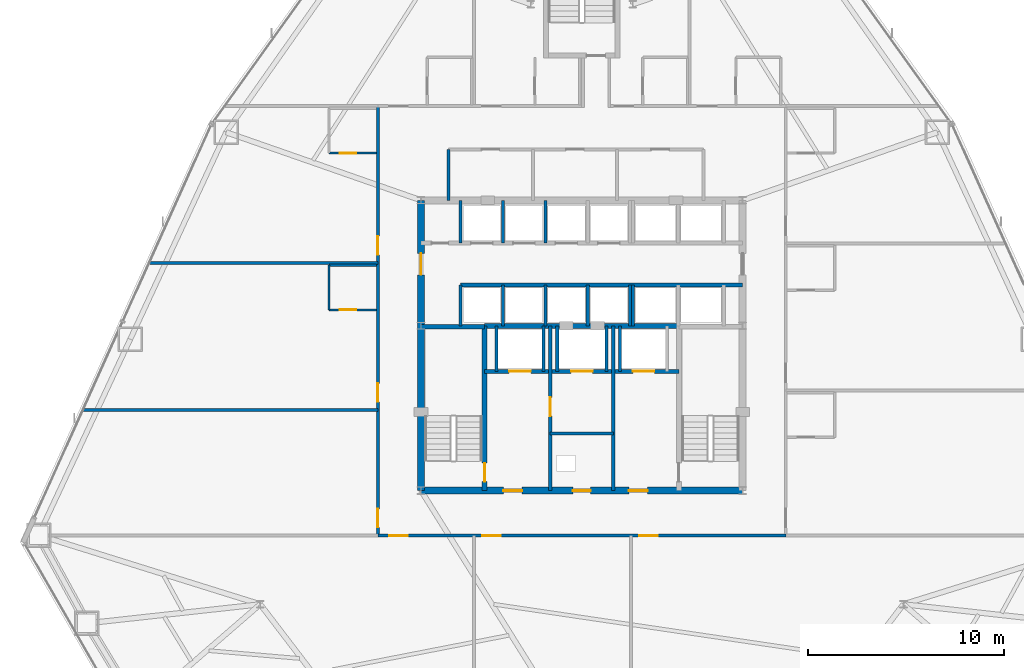
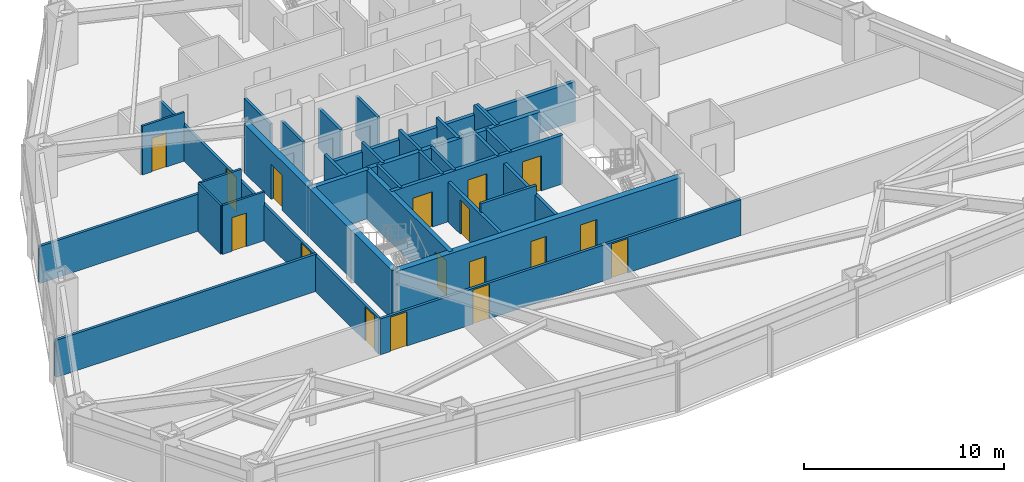
# One storey, part 9 of 12: 33 walls, 17 doors, 17 openings.
"""IFC4 building model written with IfcOpenShell, lengths in metres."""

from ifc_helpers import new_model, si_unit, direction, frame, frame_2d, origin, place, context, subcontext, project, spatial, rectangle, extrude, material, layer, layer_set, type_object, element, fill, save


model = new_model("IFC4")

# Units and contexts
model_context = context("Model", 3, precision=1e-05, world=origin(), true_north=direction((0.0, 1.0)))
body_context = subcontext(model_context, "Body", "Model", "MODEL_VIEW")
ifc_project = project(units=[si_unit("LENGTHUNIT", "METRE"), si_unit("AREAUNIT", "SQUARE_METRE"), si_unit("VOLUMEUNIT", "CUBIC_METRE"), si_unit("PLANEANGLEUNIT", "RADIAN"), si_unit("MASSUNIT", "GRAM", prefix="KILO")], contexts=[model_context])

# Site, building, storey
site_placement = place(None, origin())
site = spatial("IfcSite", under=ifc_project, at=site_placement, CompositionType="ELEMENT")
building_placement = place(site_placement, origin())
building = spatial("IfcBuilding", under=site, at=building_placement, Name="Varakhsha Concourse Tower", CompositionType="ELEMENT")
storey_placement = place(building_placement, frame((0.0, 0.0, 33.60009765625)))
storey = spatial("IfcBuildingStorey", under=building, at=storey_placement, Name="L08", CompositionType="ELEMENT", Elevation=33.60009765625)

# Wall, openings, doors
ifc_material_1 = material(Name="Concrete fc 65 MPa", Category="concrete")
ifc_layer_1 = layer(ifc_material_1, 0.35009765625, Name="WL-CORE-350")
ifc_layer_set_1 = layer_set([ifc_layer_1], Name="Concrete fc 65 MPa")
wall_type_1 = type_object("IfcWallType", Name="WL-CORE-350", PredefinedType="SHEAR", material=ifc_layer_set_1)
wall_1_placement = place(storey_placement, frame((31.800048828125, 16.39990234375, 0.0), z_axis=(0.0, 0.0, 1.0), x_axis=(1.0, 0.0, 0.0)))
wall_1 = element("IfcWall", 1, at=wall_1_placement, inside=storey, type_object=wall_type_1, Name="L08 Wall CWALL-S-L08", PredefinedType="SHEAR", context=body_context, shape_type="SweptSolid", body=[
    extrude(rectangle(XDim=16.39990234375, YDim=0.35009765625, at=frame_2d((8.199951171875, 0.0))), origin(), (0.0, 0.0, 1.0), 2.97998046875),
])
opening_1_placement = place(wall_1_placement, frame((7.75, 0.0, 0.0)))
opening_1 = element("IfcOpeningElement", 2, at=opening_1_placement, cuts=wall_1, Name="Opening DF-06", PredefinedType="OPENING", context=body_context, shape_type="SweptSolid", body=[
    extrude(rectangle(XDim=0.89990234375, YDim=2.10009765625, at=frame_2d((0.449951171875, 1.050048828125))), frame((0.0, 0.18505859375, 0.0), z_axis=(0.0, -1.0, 0.0), x_axis=(1.0, 0.0, 0.0)), (0.0, 0.0, 1.0), 0.3701171875),
])
opening_2_placement = place(wall_1_placement, frame((4.199951171875, 0.0, 0.0)))
opening_2 = element("IfcOpeningElement", 3, at=opening_2_placement, cuts=wall_1, Name="Opening DF-05", PredefinedType="OPENING", context=body_context, shape_type="SweptSolid", body=[
    extrude(rectangle(XDim=0.949951171875, YDim=2.10009765625, at=frame_2d((0.47509765625, 1.050048828125))), frame((0.0, 0.18505859375, 0.0), z_axis=(0.0, -1.0, 0.0), x_axis=(1.0, 0.0, 0.0)), (0.0, 0.0, 1.0), 0.3701171875),
])
opening_3_placement = place(wall_1_placement, frame((10.60009765625, 0.0, 0.0)))
opening_3 = element("IfcOpeningElement", 4, at=opening_3_placement, cuts=wall_1, Name="Opening DF-05", PredefinedType="OPENING", context=body_context, shape_type="SweptSolid", body=[
    extrude(rectangle(XDim=0.949951171875, YDim=2.10009765625, at=frame_2d((0.47509765625, 1.050048828125))), frame((0.0, 0.18505859375, 0.0), z_axis=(0.0, -1.0, 0.0), x_axis=(1.0, 0.0, 0.0)), (0.0, 0.0, 1.0), 0.3701171875),
])
ifc_material_2 = material(Name="Hollow Galvanised Steel Fire Door Assembly", Category="steel")
door_type_1 = type_object("IfcDoorType", Name="DR-FD60-900", OperationType="NOTDEFINED", PredefinedType="DOOR", material=ifc_material_2)
door_1_placement = place(opening_1_placement, origin())
door_1 = element("IfcDoor", 5, at=door_1_placement, inside=storey, type_object=door_type_1, Name="L08 Electrical Riser Access Door", OperationType="SINGLE_SWING_LEFT", OverallHeight=2.10009765625, OverallWidth=0.89990234375, PredefinedType="DOOR", context=body_context, shape_type="SweptSolid", body=[
    extrude(rectangle(XDim=0.89990234375, YDim=2.10009765625, at=frame_2d((0.449951171875, 1.050048828125))), frame((0.0, 0.02490234375, 0.0), z_axis=(0.0, -1.0, 0.0), x_axis=(1.0, 0.0, 0.0)), (0.0, 0.0, 1.0), 0.050048828125),
])
fill(opening_1, door_1)
door_type_2 = type_object("IfcDoorType", Name="DR-FD60-950", OperationType="NOTDEFINED", PredefinedType="DOOR", material=ifc_material_2)
door_2_placement = place(opening_2_placement, origin())
door_2 = element("IfcDoor", 6, at=door_2_placement, inside=storey, type_object=door_type_2, Name="L08 Firefighting Lobby West Door", OperationType="SINGLE_SWING_RIGHT", OverallHeight=2.10009765625, OverallWidth=0.949951171875, PredefinedType="DOOR", context=body_context, shape_type="SweptSolid", body=[
    extrude(rectangle(XDim=0.949951171875, YDim=2.10009765625, at=frame_2d((0.47509765625, 1.050048828125))), frame((0.0, 0.02490234375, 0.0), z_axis=(0.0, -1.0, 0.0), x_axis=(1.0, 0.0, 0.0)), (0.0, 0.0, 1.0), 0.050048828125),
])
fill(opening_2, door_2)
door_3_placement = place(opening_3_placement, origin())
door_3 = element("IfcDoor", 7, at=door_3_placement, inside=storey, type_object=door_type_2, Name="L08 Firefighting Lobby East Door", OperationType="SINGLE_SWING_LEFT", OverallHeight=2.10009765625, OverallWidth=0.949951171875, PredefinedType="DOOR", context=body_context, shape_type="SweptSolid", body=[
    extrude(rectangle(XDim=0.949951171875, YDim=2.10009765625, at=frame_2d((0.47509765625, 1.050048828125))), frame((0.0, 0.02490234375, 0.0), z_axis=(0.0, -1.0, 0.0), x_axis=(1.0, 0.0, 0.0)), (0.0, 0.0, 1.0), 0.050048828125),
])
fill(opening_3, door_3)

# Wall, opening, door
wall_2_placement = place(storey_placement, frame((31.800048828125, 16.39990234375, 0.0), z_axis=(0.0, 0.0, 1.0), x_axis=(0.0, 1.0, 0.0)))
wall_2 = element("IfcWall", 8, at=wall_2_placement, inside=storey, type_object=wall_type_1, Name="L08 Wall CWALL-W-L08", PredefinedType="SHEAR", context=body_context, shape_type="SweptSolid", body=[
    extrude(rectangle(XDim=14.800048828125, YDim=0.35009765625, at=frame_2d((7.39990234375, 0.0))), origin(), (0.0, 0.0, 1.0), 2.97998046875),
])
opening_4_placement = place(wall_2_placement, frame((11.0, 0.0, 0.0)))
opening_4 = element("IfcOpeningElement", 9, at=opening_4_placement, cuts=wall_2, Name="Opening DL-01", PredefinedType="OPENING", context=body_context, shape_type="SweptSolid", body=[
    extrude(rectangle(XDim=1.10009765625, YDim=2.14990234375, at=frame_2d((0.550048828125, 1.074951171875))), frame((0.0, 0.18505859375, 0.0), z_axis=(0.0, -1.0, 0.0), x_axis=(1.0, 0.0, 0.0)), (0.0, 0.0, 1.0), 0.3701171875),
])
ifc_material_3 = material(Name="Anodised Bronze Architectural Aluminium AA 6063-T6", Category="aluminium")
door_type_3 = type_object("IfcDoorType", Name="DR-LOB-1100", OperationType="NOTDEFINED", PredefinedType="DOOR", material=ifc_material_3)
door_4_placement = place(opening_4_placement, origin())
door_4 = element("IfcDoor", 10, at=door_4_placement, inside=storey, type_object=door_type_3, Name="L08 Lift Lobby West Concourse Door", OperationType="SINGLE_SWING_LEFT", OverallHeight=2.14990234375, OverallWidth=1.10009765625, PredefinedType="DOOR", context=body_context, shape_type="SweptSolid", body=[
    extrude(rectangle(XDim=1.10009765625, YDim=2.14990234375, at=frame_2d((0.550048828125, 1.074951171875))), frame((0.0, 0.02490234375, 0.0), z_axis=(0.0, -1.0, 0.0), x_axis=(1.0, 0.0, 0.0)), (0.0, 0.0, 1.0), 0.050048828125),
])
fill(opening_4, door_4)

ifc_material_4 = material(Name="Fire-Rated Type X Gypsum Partition Assembly", Category="gypsum")
ifc_layer_2 = layer(ifc_material_4, 0.179931640625, Name="WL-FFLOB-180")
ifc_layer_set_2 = layer_set([ifc_layer_2], Name="Fire-Rated Type X Gypsum Partition Assembly")
wall_type_2 = type_object("IfcWallType", Name="WL-FFLOB-180", PredefinedType="PARTITIONING", material=ifc_layer_set_2)
wall_3_placement = place(storey_placement, frame((38.389892578125, 16.39990234375, 0.0), z_axis=(0.0, 0.0, 1.0), x_axis=(0.0, 1.0, 0.0)))
wall_3 = element("IfcWall", 11, at=wall_3_placement, inside=storey, type_object=wall_type_2, Name="L08 Wall FFW-1E-L08", PredefinedType="PARTITIONING", context=body_context, shape_type="SweptSolid", body=[
    extrude(rectangle(XDim=8.400146484375, YDim=0.179931640625, at=frame_2d((4.2001953125, 0.0))), origin(), (0.0, 0.0, 1.0), 2.430908203125),
])
opening_5_placement = place(wall_3_placement, frame((3.800048828125, 0.0, 0.0)))
opening_5 = element("IfcOpeningElement", 12, at=opening_5_placement, cuts=wall_3, Name="Opening DF-05", PredefinedType="OPENING", context=body_context, shape_type="SweptSolid", body=[
    extrude(rectangle(XDim=0.949951171875, YDim=2.10009765625, at=frame_2d((0.47509765625, 1.050048828125))), frame((0.0, 0.099853515625, 0.0), z_axis=(0.0, -1.0, 0.0), x_axis=(1.0, 0.0, 0.0)), (0.0, 0.0, 1.0), 0.199951171875),
])
door_5_placement = place(opening_5_placement, origin())
door_5 = element("IfcDoor", 13, at=door_5_placement, inside=storey, type_object=door_type_2, Name="L08 Service Vestibule Door", OperationType="SINGLE_SWING_RIGHT", OverallHeight=2.10009765625, OverallWidth=0.949951171875, PredefinedType="DOOR", context=body_context, shape_type="SweptSolid", body=[
    extrude(rectangle(XDim=0.949951171875, YDim=2.10009765625, at=frame_2d((0.47509765625, 1.050048828125))), frame((0.0, 0.02490234375, 0.0), z_axis=(0.0, -1.0, 0.0), x_axis=(1.0, 0.0, 0.0)), (0.0, 0.0, 1.0), 0.050048828125),
])
fill(opening_5, door_5)

# Walls
wall_4_placement = place(storey_placement, frame((41.610107421875, 16.39990234375, 0.0), z_axis=(0.0, 0.0, 1.0), x_axis=(0.0, 1.0, 0.0)))
element("IfcWall", 14, at=wall_4_placement, inside=storey, type_object=wall_type_2, Name="L08 Wall FFW-2W-L08", PredefinedType="PARTITIONING", context=body_context, shape_type="SweptSolid", body=[
    extrude(rectangle(XDim=8.400146484375, YDim=0.179931640625, at=frame_2d((4.2001953125, 0.0))), origin(), (0.0, 0.0, 1.0), 2.430908203125),
])
ifc_material_5 = material(Name="Acoustic Gypsum Board Partition Assembly", Category="gypsum")
ifc_layer_3 = layer(ifc_material_5, 0.1201171875, Name="WL-PART-120")
ifc_layer_set_3 = layer_set([ifc_layer_3], Name="Acoustic Gypsum Board Partition Assembly")
wall_type_3 = type_object("IfcWallType", Name="WL-PART-120", PredefinedType="PARTITIONING", material=ifc_layer_set_3)
wall_5_placement = place(storey_placement, frame((27.110107421875, 25.610107421875, 0.0), z_axis=(0.0, 0.0, 1.0), x_axis=(0.0, 1.0, 0.0)))
element("IfcWall", 15, at=wall_5_placement, inside=storey, type_object=wall_type_3, Name="L08 Wall ENSW-W-L08-H05", PredefinedType="PARTITIONING", context=body_context, shape_type="SweptSolid", body=[
    extrude(rectangle(XDim=2.27978515625, YDim=0.1201171875, at=frame_2d((1.139892578125, 0.0))), origin(), (0.0, 0.0, 1.0), 2.97998046875),
])

# Wall, opening, door
wall_6_placement = place(storey_placement, frame((27.110107421875, 25.610107421875, 0.0), z_axis=(0.0, 0.0, 1.0), x_axis=(1.0, 0.0, 0.0)))
wall_6 = element("IfcWall", 16, at=wall_6_placement, inside=storey, type_object=wall_type_3, Name="L08 Wall ENSW-S-L08-H05", PredefinedType="PARTITIONING", context=body_context, shape_type="SweptSolid", body=[
    extrude(rectangle(XDim=2.429931640625, YDim=0.1201171875, at=frame_2d((1.21484375, 0.0))), origin(), (0.0, 0.0, 1.0), 2.97998046875),
])
opening_6_placement = place(wall_6_placement, frame((0.550048828125, 0.0, 0.0)))
opening_6 = element("IfcOpeningElement", 17, at=opening_6_placement, cuts=wall_6, Name="Opening DI-01", PredefinedType="OPENING", context=body_context, shape_type="SweptSolid", body=[
    extrude(rectangle(XDim=0.85009765625, YDim=2.050048828125, at=frame_2d((0.425048828125, 1.02490234375))), frame((0.0, 0.070068359375, 0.0), z_axis=(0.0, -1.0, 0.0), x_axis=(1.0, 0.0, 0.0)), (0.0, 0.0, 1.0), 0.14013671875),
])
ifc_material_6 = material(Name="Architectural Walnut Acoustic Timber Door", Category="wood")
door_type_4 = type_object("IfcDoorType", Name="DR-INT-850", OperationType="NOTDEFINED", PredefinedType="DOOR", material=ifc_material_6)
door_6_placement = place(opening_6_placement, origin())
door_6 = element("IfcDoor", 18, at=door_6_placement, inside=storey, type_object=door_type_4, Name="L08 En-suite Bathroom Door L08-H05", OperationType="SINGLE_SWING_RIGHT", OverallHeight=2.050048828125, OverallWidth=0.85009765625, PredefinedType="DOOR", context=body_context, shape_type="SweptSolid", body=[
    extrude(rectangle(XDim=0.85009765625, YDim=2.050048828125, at=frame_2d((0.425048828125, 1.02490234375))), frame((0.0, 0.02490234375, 0.0), z_axis=(0.0, -1.0, 0.0), x_axis=(1.0, 0.0, 0.0)), (0.0, 0.0, 1.0), 0.050048828125),
])
fill(opening_6, door_6)

# Wall
wall_7_placement = place(storey_placement, frame((27.110107421875, 27.889892578125, 0.0), z_axis=(0.0, 0.0, 1.0), x_axis=(1.0, 0.0, 0.0)))
element("IfcWall", 19, at=wall_7_placement, inside=storey, type_object=wall_type_3, Name="L08 Wall ENSW-N-L08-H05", PredefinedType="PARTITIONING", context=body_context, shape_type="SweptSolid", body=[
    extrude(rectangle(XDim=2.429931640625, YDim=0.1201171875, at=frame_2d((1.21484375, 0.0))), origin(), (0.0, 0.0, 1.0), 2.97998046875),
])

# Wall, opening, door
wall_8_placement = place(storey_placement, frame((27.110107421875, 33.610107421875, 0.0), z_axis=(0.0, 0.0, 1.0), x_axis=(1.0, 0.0, 0.0)))
wall_8 = element("IfcWall", 20, at=wall_8_placement, inside=storey, type_object=wall_type_3, Name="L08 Wall ENSW-S-L08-H06", PredefinedType="PARTITIONING", context=body_context, shape_type="SweptSolid", body=[
    extrude(rectangle(XDim=2.429931640625, YDim=0.1201171875, at=frame_2d((1.21484375, 0.0))), origin(), (0.0, 0.0, 1.0), 2.97998046875),
])
opening_7_placement = place(wall_8_placement, frame((0.550048828125, 0.0, 0.0)))
opening_7 = element("IfcOpeningElement", 21, at=opening_7_placement, cuts=wall_8, Name="Opening DI-01", PredefinedType="OPENING", context=body_context, shape_type="SweptSolid", body=[
    extrude(rectangle(XDim=0.85009765625, YDim=2.050048828125, at=frame_2d((0.425048828125, 1.02490234375))), frame((0.0, 0.070068359375, 0.0), z_axis=(0.0, -1.0, 0.0), x_axis=(1.0, 0.0, 0.0)), (0.0, 0.0, 1.0), 0.14013671875),
])
door_7_placement = place(opening_7_placement, origin())
door_7 = element("IfcDoor", 22, at=door_7_placement, inside=storey, type_object=door_type_4, Name="L08 En-suite Bathroom Door L08-H06", OperationType="SINGLE_SWING_RIGHT", OverallHeight=2.050048828125, OverallWidth=0.85009765625, PredefinedType="DOOR", context=body_context, shape_type="SweptSolid", body=[
    extrude(rectangle(XDim=0.85009765625, YDim=2.050048828125, at=frame_2d((0.425048828125, 1.02490234375))), frame((0.0, 0.02490234375, 0.0), z_axis=(0.0, -1.0, 0.0), x_axis=(1.0, 0.0, 0.0)), (0.0, 0.0, 1.0), 0.050048828125),
])
fill(opening_7, door_7)

# Walls
ifc_layer_4 = layer(ifc_material_4, 0.14990234375, Name="WL-PART-150")
ifc_layer_set_4 = layer_set([ifc_layer_4], Name="Fire-Rated Type X Gypsum Partition Assembly")
wall_type_4 = type_object("IfcWallType", Name="WL-PART-150", PredefinedType="PARTITIONING", material=ifc_layer_set_4)
wall_9_placement = place(storey_placement, frame((38.389892578125, 19.300048828125, 0.0), z_axis=(0.0, 0.0, 1.0), x_axis=(1.0, 0.0, 0.0)))
element("IfcWall", 23, at=wall_9_placement, inside=storey, type_object=wall_type_4, Name="L08 Wall RSW-H-L08", PredefinedType="PARTITIONING", context=body_context, shape_type="SweptSolid", body=[
    extrude(rectangle(XDim=3.22021484375, YDim=0.14990234375, at=frame_2d((1.610107421875, 0.0))), origin(), (0.0, 0.0, 1.0), 2.97998046875),
])
wall_10_placement = place(storey_placement, frame((33.199951171875, 31.199951171875, 0.0), z_axis=(0.0, 0.0, 1.0), x_axis=(0.0, 1.0, 0.0)))
element("IfcWall", 24, at=wall_10_placement, inside=storey, type_object=wall_type_4, Name="L08 Wall NBOH-W-L08", PredefinedType="PARTITIONING", context=body_context, shape_type="SweptSolid", body=[
    extrude(rectangle(XDim=2.60009765625, YDim=0.14990234375, at=frame_2d((1.300048828125, 0.0))), origin(), (0.0, 0.0, 1.0), 2.430908203125),
])

# Wall, openings, doors
wall_11_placement = place(storey_placement, frame((29.60009765625, 14.10009765625, 0.0), z_axis=(0.0, 0.0, 1.0), x_axis=(1.0, 0.0, 0.0)))
wall_11 = element("IfcWall", 25, at=wall_11_placement, inside=storey, type_object=wall_type_4, Name="L08 Wall CRW-S-L08", PredefinedType="PARTITIONING", context=body_context, shape_type="SweptSolid", body=[
    extrude(rectangle(XDim=20.7998046875, YDim=0.14990234375, at=frame_2d((10.39990234375, 0.0))), origin(), (0.0, 0.0, 1.0), 2.19091796875),
])
opening_8_placement = place(wall_11_placement, frame((0.570068359375, 0.0, 0.0)))
opening_8 = element("IfcOpeningElement", 26, at=opening_8_placement, cuts=wall_11, Name="Opening DF-05", PredefinedType="OPENING", context=body_context, shape_type="SweptSolid", body=[
    extrude(rectangle(XDim=0.949951171875, YDim=2.10009765625, at=frame_2d((0.47509765625, 1.050048828125))), frame((0.0, 0.0849609375, 0.0), z_axis=(0.0, -1.0, 0.0), x_axis=(1.0, 0.0, 0.0)), (0.0, 0.0, 1.0), 0.169921875),
])
opening_9_placement = place(wall_11_placement, frame((5.320068359375, 0.0, 0.0)))
opening_9 = element("IfcOpeningElement", 27, at=opening_9_placement, cuts=wall_11, Name="Opening DF-05", PredefinedType="OPENING", context=body_context, shape_type="SweptSolid", body=[
    extrude(rectangle(XDim=0.949951171875, YDim=2.10009765625, at=frame_2d((0.47509765625, 1.050048828125))), frame((0.0, 0.0849609375, 0.0), z_axis=(0.0, -1.0, 0.0), x_axis=(1.0, 0.0, 0.0)), (0.0, 0.0, 1.0), 0.169921875),
])
opening_10_placement = place(wall_11_placement, frame((13.320068359375, 0.0, 0.0)))
opening_10 = element("IfcOpeningElement", 28, at=opening_10_placement, cuts=wall_11, Name="Opening DF-05", PredefinedType="OPENING", context=body_context, shape_type="SweptSolid", body=[
    extrude(rectangle(XDim=0.949951171875, YDim=2.10009765625, at=frame_2d((0.47509765625, 1.050048828125))), frame((0.0, 0.0849609375, 0.0), z_axis=(0.0, -1.0, 0.0), x_axis=(1.0, 0.0, 0.0)), (0.0, 0.0, 1.0), 0.169921875),
])
door_8_placement = place(opening_8_placement, origin())
door_8 = element("IfcDoor", 29, at=door_8_placement, inside=storey, type_object=door_type_2, Name="L08 Hotel Executive Salon L08-H01 Door", OperationType="SINGLE_SWING_LEFT", OverallHeight=2.10009765625, OverallWidth=0.949951171875, PredefinedType="DOOR", context=body_context, shape_type="SweptSolid", body=[
    extrude(rectangle(XDim=0.949951171875, YDim=2.10009765625, at=frame_2d((0.47509765625, 1.050048828125))), frame((0.0, 0.02490234375, 0.0), z_axis=(0.0, -1.0, 0.0), x_axis=(1.0, 0.0, 0.0)), (0.0, 0.0, 1.0), 0.050048828125),
])
fill(opening_8, door_8)
door_9_placement = place(opening_9_placement, origin())
door_9 = element("IfcDoor", 30, at=door_9_placement, inside=storey, type_object=door_type_2, Name="L08 Hospitality Club Lounge L08-H02 Door", OperationType="SINGLE_SWING_RIGHT", OverallHeight=2.10009765625, OverallWidth=0.949951171875, PredefinedType="DOOR", context=body_context, shape_type="SweptSolid", body=[
    extrude(rectangle(XDim=0.949951171875, YDim=2.10009765625, at=frame_2d((0.47509765625, 1.050048828125))), frame((0.0, 0.02490234375, 0.0), z_axis=(0.0, -1.0, 0.0), x_axis=(1.0, 0.0, 0.0)), (0.0, 0.0, 1.0), 0.050048828125),
])
fill(opening_9, door_9)
door_10_placement = place(opening_10_placement, origin())
door_10 = element("IfcDoor", 31, at=door_10_placement, inside=storey, type_object=door_type_2, Name="L08 Hotel Executive Salon L08-H03 Door", OperationType="SINGLE_SWING_LEFT", OverallHeight=2.10009765625, OverallWidth=0.949951171875, PredefinedType="DOOR", context=body_context, shape_type="SweptSolid", body=[
    extrude(rectangle(XDim=0.949951171875, YDim=2.10009765625, at=frame_2d((0.47509765625, 1.050048828125))), frame((0.0, 0.02490234375, 0.0), z_axis=(0.0, -1.0, 0.0), x_axis=(1.0, 0.0, 0.0)), (0.0, 0.0, 1.0), 0.050048828125),
])
fill(opening_10, door_10)

wall_12_placement = place(storey_placement, frame((29.60009765625, 14.10009765625, 0.0), z_axis=(0.0, 0.0, 1.0), x_axis=(0.0, 1.0, 0.0)))
wall_12 = element("IfcWall", 32, at=wall_12_placement, inside=storey, type_object=wall_type_4, Name="L08 Wall CRW-W-L08", PredefinedType="PARTITIONING", context=body_context, shape_type="SweptSolid", body=[
    extrude(rectangle(XDim=21.89990234375, YDim=0.14990234375, at=frame_2d((10.949951171875, 0.0))), origin(), (0.0, 0.0, 1.0), 2.19091796875),
])
opening_11_placement = place(wall_12_placement, frame((0.419921875, 0.0, 0.0)))
opening_11 = element("IfcOpeningElement", 33, at=opening_11_placement, cuts=wall_12, Name="Opening DF-05", PredefinedType="OPENING", context=body_context, shape_type="SweptSolid", body=[
    extrude(rectangle(XDim=0.949951171875, YDim=2.10009765625, at=frame_2d((0.47509765625, 1.050048828125))), frame((0.0, 0.0849609375, 0.0), z_axis=(0.0, -1.0, 0.0), x_axis=(1.0, 0.0, 0.0)), (0.0, 0.0, 1.0), 0.169921875),
])
opening_12_placement = place(wall_12_placement, frame((6.820068359375, 0.0, 0.0)))
opening_12 = element("IfcOpeningElement", 34, at=opening_12_placement, cuts=wall_12, Name="Opening DF-05", PredefinedType="OPENING", context=body_context, shape_type="SweptSolid", body=[
    extrude(rectangle(XDim=0.949951171875, YDim=2.10009765625, at=frame_2d((0.47509765625, 1.050048828125))), frame((0.0, 0.0849609375, 0.0), z_axis=(0.0, -1.0, 0.0), x_axis=(1.0, 0.0, 0.0)), (0.0, 0.0, 1.0), 0.169921875),
])
opening_13_placement = place(wall_12_placement, frame((14.320068359375, 0.0, 0.0)))
opening_13 = element("IfcOpeningElement", 35, at=opening_13_placement, cuts=wall_12, Name="Opening DF-05", PredefinedType="OPENING", context=body_context, shape_type="SweptSolid", body=[
    extrude(rectangle(XDim=0.949951171875, YDim=2.10009765625, at=frame_2d((0.47509765625, 1.050048828125))), frame((0.0, 0.0849609375, 0.0), z_axis=(0.0, -1.0, 0.0), x_axis=(1.0, 0.0, 0.0)), (0.0, 0.0, 1.0), 0.169921875),
])
door_11_placement = place(opening_11_placement, origin())
door_11 = element("IfcDoor", 36, at=door_11_placement, inside=storey, type_object=door_type_2, Name="L08 Hospitality Club Lounge L08-H04 Door", OperationType="SINGLE_SWING_RIGHT", OverallHeight=2.10009765625, OverallWidth=0.949951171875, PredefinedType="DOOR", context=body_context, shape_type="SweptSolid", body=[
    extrude(rectangle(XDim=0.949951171875, YDim=2.10009765625, at=frame_2d((0.47509765625, 1.050048828125))), frame((0.0, 0.02490234375, 0.0), z_axis=(0.0, -1.0, 0.0), x_axis=(1.0, 0.0, 0.0)), (0.0, 0.0, 1.0), 0.050048828125),
])
fill(opening_11, door_11)
door_12_placement = place(opening_12_placement, origin())
door_12 = element("IfcDoor", 37, at=door_12_placement, inside=storey, type_object=door_type_2, Name="L08 Hotel Corner Suite L08-H05 Entry Door", OperationType="SINGLE_SWING_LEFT", OverallHeight=2.10009765625, OverallWidth=0.949951171875, PredefinedType="DOOR", context=body_context, shape_type="SweptSolid", body=[
    extrude(rectangle(XDim=0.949951171875, YDim=2.10009765625, at=frame_2d((0.47509765625, 1.050048828125))), frame((0.0, 0.02490234375, 0.0), z_axis=(0.0, -1.0, 0.0), x_axis=(1.0, 0.0, 0.0)), (0.0, 0.0, 1.0), 0.050048828125),
])
fill(opening_12, door_12)
door_13_placement = place(opening_13_placement, origin())
door_13 = element("IfcDoor", 38, at=door_13_placement, inside=storey, type_object=door_type_2, Name="L08 Hotel Corner Suite L08-H06 Entry Door", OperationType="SINGLE_SWING_RIGHT", OverallHeight=2.10009765625, OverallWidth=0.949951171875, PredefinedType="DOOR", context=body_context, shape_type="SweptSolid", body=[
    extrude(rectangle(XDim=0.949951171875, YDim=2.10009765625, at=frame_2d((0.47509765625, 1.050048828125))), frame((0.0, 0.02490234375, 0.0), z_axis=(0.0, -1.0, 0.0), x_axis=(1.0, 0.0, 0.0)), (0.0, 0.0, 1.0), 0.050048828125),
])
fill(opening_13, door_13)

# Walls
wall_13_placement = place(storey_placement, frame((14.5595703125, 20.5, 0.0), z_axis=(0.0, 0.0, 1.0), x_axis=(1.0, 0.0, 0.0)))
element("IfcWall", 39, at=wall_13_placement, inside=storey, type_object=wall_type_4, Name="L08 Wall HDIV-W1-L08", PredefinedType="PARTITIONING", context=body_context, shape_type="SweptSolid", body=[
    extrude(rectangle(XDim=15.04052734375, YDim=0.14990234375, at=frame_2d((7.520263671875, 0.0))), origin(), (0.0, 0.0, 1.0), 2.267822265625),
])
wall_14_placement = place(storey_placement, frame((17.937744140625, 28.0, 0.0), z_axis=(0.0, 0.0, 1.0), x_axis=(1.0, 0.0, 0.0)))
element("IfcWall", 40, at=wall_14_placement, inside=storey, type_object=wall_type_4, Name="L08 Wall HDIV-W2-L08", PredefinedType="PARTITIONING", context=body_context, shape_type="SweptSolid", body=[
    extrude(rectangle(XDim=11.662353515625, YDim=0.14990234375, at=frame_2d((5.8310546875, 0.0))), origin(), (0.0, 0.0, 1.0), 2.267822265625),
])

# Wall, openings, doors
ifc_layer_5 = layer(ifc_material_4, 0.199951171875, Name="WL-SHAFT-220")
ifc_layer_set_5 = layer_set([ifc_layer_5], Name="Fire-Rated Type X Gypsum Partition Assembly")
wall_type_5 = type_object("IfcWallType", Name="WL-SHAFT-220", PredefinedType="SOLIDWALL", material=ifc_layer_set_5)
wall_15_placement = place(storey_placement, frame((35.044921875, 22.47998046875, 0.0), z_axis=(0.0, 0.0, 1.0), x_axis=(1.0, 0.0, 0.0)))
wall_15 = element("IfcWall", 41, at=wall_15_placement, inside=storey, type_object=wall_type_5, Name="L08 Wall FFW-NH-L08", PredefinedType="SOLIDWALL", context=body_context, shape_type="SweptSolid", body=[
    extrude(rectangle(XDim=9.91015625, YDim=0.199951171875, at=frame_2d((4.955078125, 0.0))), origin(), (0.0, 0.0, 1.0), 2.97998046875),
])
opening_14_placement = place(wall_15_placement, frame((1.2548828125, 0.0, 0.0)))
opening_14 = element("IfcOpeningElement", 42, at=opening_14_placement, cuts=wall_15, Name="Opening LD-FFL-1", PredefinedType="OPENING", context=body_context, shape_type="SweptSolid", body=[
    extrude(rectangle(XDim=1.10009765625, YDim=2.14990234375, at=frame_2d((0.550048828125, 1.074951171875))), frame((0.0, 0.10986328125, 0.0), z_axis=(0.0, -1.0, 0.0), x_axis=(1.0, 0.0, 0.0)), (0.0, 0.0, 1.0), 0.219970703125),
])
opening_15_placement = place(wall_15_placement, frame((7.554931640625, 0.0, 0.0)))
opening_15 = element("IfcOpeningElement", 43, at=opening_15_placement, cuts=wall_15, Name="Opening LD-FFL-2", PredefinedType="OPENING", context=body_context, shape_type="SweptSolid", body=[
    extrude(rectangle(XDim=1.10009765625, YDim=2.14990234375, at=frame_2d((0.550048828125, 1.074951171875))), frame((0.0, 0.10986328125, 0.0), z_axis=(0.0, -1.0, 0.0), x_axis=(1.0, 0.0, 0.0)), (0.0, 0.0, 1.0), 0.219970703125),
])
opening_16_placement = place(wall_15_placement, frame((4.405029296875, 0.0, 0.0)))
opening_16 = element("IfcOpeningElement", 44, at=opening_16_placement, cuts=wall_15, Name="Opening LD-SVL-1", PredefinedType="OPENING", context=body_context, shape_type="SweptSolid", body=[
    extrude(rectangle(XDim=1.10009765625, YDim=2.14990234375, at=frame_2d((0.550048828125, 1.074951171875))), frame((0.0, 0.10986328125, 0.0), z_axis=(0.0, -1.0, 0.0), x_axis=(1.0, 0.0, 0.0)), (0.0, 0.0, 1.0), 0.219970703125),
])
ifc_material_7 = material(Name="Brushed Austenitic Stainless Steel AISI 316", Category="steel")
door_type_5 = type_object("IfcDoorType", Name="DR-LD-1100", OperationType="DOUBLE_DOOR_SLIDING", PredefinedType="DOOR", material=ifc_material_7)
door_14_placement = place(opening_14_placement, origin())
door_14 = element("IfcDoor", 45, at=door_14_placement, inside=storey, type_object=door_type_5, Name="Lift Landing Door FFL-1 L08", OperationType="DOUBLE_DOOR_SLIDING", OverallHeight=2.14990234375, OverallWidth=1.10009765625, PredefinedType="DOOR", context=body_context, shape_type="SweptSolid", body=[
    extrude(rectangle(XDim=1.10009765625, YDim=2.14990234375, at=frame_2d((0.550048828125, 1.074951171875))), frame((0.0, 0.02490234375, 0.0), z_axis=(0.0, -1.0, 0.0), x_axis=(1.0, 0.0, 0.0)), (0.0, 0.0, 1.0), 0.050048828125),
])
fill(opening_14, door_14)
door_15_placement = place(opening_15_placement, origin())
door_15 = element("IfcDoor", 46, at=door_15_placement, inside=storey, type_object=door_type_5, Name="Lift Landing Door FFL-2 L08", OperationType="DOUBLE_DOOR_SLIDING", OverallHeight=2.14990234375, OverallWidth=1.10009765625, PredefinedType="DOOR", context=body_context, shape_type="SweptSolid", body=[
    extrude(rectangle(XDim=1.10009765625, YDim=2.14990234375, at=frame_2d((0.550048828125, 1.074951171875))), frame((0.0, 0.02490234375, 0.0), z_axis=(0.0, -1.0, 0.0), x_axis=(1.0, 0.0, 0.0)), (0.0, 0.0, 1.0), 0.050048828125),
])
fill(opening_15, door_15)
door_16_placement = place(opening_16_placement, origin())
door_16 = element("IfcDoor", 47, at=door_16_placement, inside=storey, type_object=door_type_5, Name="Lift Landing Door SVL-1 L08", OperationType="DOUBLE_DOOR_SLIDING", OverallHeight=2.14990234375, OverallWidth=1.10009765625, PredefinedType="DOOR", context=body_context, shape_type="SweptSolid", body=[
    extrude(rectangle(XDim=1.10009765625, YDim=2.14990234375, at=frame_2d((0.550048828125, 1.074951171875))), frame((0.0, 0.02490234375, 0.0), z_axis=(0.0, -1.0, 0.0), x_axis=(1.0, 0.0, 0.0)), (0.0, 0.0, 1.0), 0.050048828125),
])
fill(opening_16, door_16)

# Walls
for number, where, z_axis, x_axis, name in (
    (48, (35.64990234375, 22.47998046875, 0.0), (0.0, 0.0, 1.0), (0.0, 1.0, 0.0), "L08 Wall SHW-FFL-1-W-L08"),
    (49, (38.050048828125, 22.47998046875, 0.0), (0.0, 0.0, 1.0), (0.0, 1.0, 0.0), "L08 Wall SHW-FFL-1-E-L08"),
    (50, (41.949951171875, 22.47998046875, 0.0), (0.0, 0.0, 1.0), (0.0, 1.0, 0.0), "L08 Wall SHW-FFL-2-W-L08"),
    (51, (38.75, 22.47998046875, 0.0), (0.0, 0.0, 1.0), (0.0, 1.0, 0.0), "L08 Wall SHW-SVL-1-W-L08"),
    (52, (41.25, 22.47998046875, 0.0), (0.0, 0.0, 1.0), (0.0, 1.0, 0.0), "L08 Wall SHW-SVL-1-E-L08"),
):
    element("IfcWall", number, at=place(storey_placement, frame(where, z_axis=z_axis, x_axis=x_axis)), inside=storey, type_object=wall_type_5, Name=name, PredefinedType="SOLIDWALL", context=body_context, shape_type="SweptSolid", body=[
        extrude(rectangle(XDim=2.320068359375, YDim=0.159912109375, at=frame_2d((1.16015625, 0.0))), origin(), (0.0, 0.0, 1.0), 2.97998046875),
    ])
wall_16_placement = place(storey_placement, frame((33.820068359375, 26.8798828125, 0.0), z_axis=(0.0, 0.0, 1.0), x_axis=(1.0, 0.0, 0.0)))
element("IfcWall", 53, at=wall_16_placement, inside=storey, type_object=wall_type_5, Name="L08 Wall PLW-S-L08", PredefinedType="SOLIDWALL", context=body_context, shape_type="SweptSolid", body=[
    extrude(rectangle(XDim=14.3798828125, YDim=0.199951171875, at=frame_2d((7.18994140625, 0.0))), origin(), (0.0, 0.0, 1.0), 2.430908203125),
])
wall_17_placement = place(storey_placement, frame((33.820068359375, 29.02001953125, 0.0), z_axis=(0.0, 0.0, 1.0), x_axis=(0.0, 1.0, 0.0)))
element("IfcWall", 54, at=wall_17_placement, inside=storey, type_object=wall_type_5, Name="L08 Wall WBOH-E1-L08", PredefinedType="SOLIDWALL", context=body_context, shape_type="SweptSolid", body=[
    extrude(rectangle(XDim=2.179931640625, YDim=0.159912109375, at=frame_2d((1.08984375, 0.0))), origin(), (0.0, 0.0, 1.0), 2.430908203125),
])
wall_18_placement = place(storey_placement, frame((33.820068359375, 24.800048828125, 0.0), z_axis=(0.0, 0.0, 1.0), x_axis=(0.0, 1.0, 0.0)))
element("IfcWall", 55, at=wall_18_placement, inside=storey, type_object=wall_type_5, Name="L08 Wall WBOH-E2-L08", PredefinedType="SOLIDWALL", context=body_context, shape_type="SweptSolid", body=[
    extrude(rectangle(XDim=2.079833984375, YDim=0.159912109375, at=frame_2d((1.0400390625, 0.0))), origin(), (0.0, 0.0, 1.0), 2.97998046875),
])
for number, where, z_axis, x_axis, name in (
    (56, (35.97998046875, 29.02001953125, 0.0), (0.0, 0.0, 1.0), (0.0, 1.0, 0.0), "L08 Wall SHW-LF-P01-E-L08"),
    (57, (38.139892578125, 29.02001953125, 0.0), (0.0, 0.0, 1.0), (0.0, 1.0, 0.0), "L08 Wall SHW-LF-P02-E-L08"),
):
    element("IfcWall", number, at=place(storey_placement, frame(where, z_axis=z_axis, x_axis=x_axis)), inside=storey, type_object=wall_type_5, Name=name, PredefinedType="SOLIDWALL", context=body_context, shape_type="SweptSolid", body=[
        extrude(rectangle(XDim=2.179931640625, YDim=0.159912109375, at=frame_2d((1.08984375, 0.0))), origin(), (0.0, 0.0, 1.0), 2.430908203125),
    ])
for number, where, z_axis, x_axis, name in (
    (58, (35.97998046875, 24.800048828125, 0.0), (0.0, 0.0, 1.0), (0.0, 1.0, 0.0), "L08 Wall SHW-LF-P05-E-L08"),
    (59, (38.139892578125, 24.800048828125, 0.0), (0.0, 0.0, 1.0), (0.0, 1.0, 0.0), "L08 Wall SHW-LF-P06-E-L08"),
    (60, (40.300048828125, 24.800048828125, 0.0), (0.0, 0.0, 1.0), (0.0, 1.0, 0.0), "L08 Wall SHW-LF-P07-E-L08"),
    (61, (42.4599609375, 24.800048828125, 0.0), (0.0, 0.0, 1.0), (0.0, 1.0, 0.0), "L08 Wall SHW-LF-P08-E-L08"),
    (62, (42.60009765625, 24.800048828125, 0.0), (0.0, 0.0, 1.0), (0.0, 1.0, 0.0), "L08 Wall SHW-LF-P11-W-L08"),
):
    element("IfcWall", number, at=place(storey_placement, frame(where, z_axis=z_axis, x_axis=x_axis)), inside=storey, type_object=wall_type_5, Name=name, PredefinedType="SOLIDWALL", context=body_context, shape_type="SweptSolid", body=[
        extrude(rectangle(XDim=2.079833984375, YDim=0.159912109375, at=frame_2d((1.0400390625, 0.0))), origin(), (0.0, 0.0, 1.0), 2.97998046875),
    ])

# Wall, opening, door
ifc_material_8 = material(Name="Concrete fc 45 MPa", Category="concrete")
ifc_layer_6 = layer(ifc_material_8, 0.25, Name="WL-STAIR-250")
ifc_layer_set_6 = layer_set([ifc_layer_6], Name="Concrete fc 45 MPa")
wall_type_6 = type_object("IfcWallType", Name="WL-STAIR-250", PredefinedType="SHEAR", material=ifc_layer_set_6)
wall_19_placement = place(storey_placement, frame((35.044921875, 16.39990234375, 0.0), z_axis=(0.0, 0.0, 1.0), x_axis=(0.0, 1.0, 0.0)))
wall_19 = element("IfcWall", 63, at=wall_19_placement, inside=storey, type_object=wall_type_6, Name="L08 Wall SWALL-ST1-E-L08", PredefinedType="SHEAR", context=body_context, shape_type="SweptSolid", body=[
    extrude(rectangle(XDim=8.400146484375, YDim=0.25, at=frame_2d((4.2001953125, 0.0))), origin(), (0.0, 0.0, 1.0), 2.97998046875),
])
opening_17_placement = place(wall_19_placement, frame((0.449951171875, 0.0, 0.0)))
opening_17 = element("IfcOpeningElement", 64, at=opening_17_placement, cuts=wall_19, Name="Opening DF-03", PredefinedType="OPENING", context=body_context, shape_type="SweptSolid", body=[
    extrude(rectangle(XDim=0.949951171875, YDim=2.10009765625, at=frame_2d((0.47509765625, 1.050048828125))), frame((0.0, 0.135009765625, 0.0), z_axis=(0.0, -1.0, 0.0), x_axis=(1.0, 0.0, 0.0)), (0.0, 0.0, 1.0), 0.27001953125),
])
door_type_6 = type_object("IfcDoorType", Name="DR-FD90-950", OperationType="NOTDEFINED", PredefinedType="DOOR", material=ifc_material_2)
door_17_placement = place(opening_17_placement, origin())
door_17 = element("IfcDoor", 65, at=door_17_placement, inside=storey, type_object=door_type_6, Name="L08 Stair ST1 Fire Door", OperationType="SINGLE_SWING_LEFT", OverallHeight=2.10009765625, OverallWidth=0.949951171875, PredefinedType="DOOR", context=body_context, shape_type="SweptSolid", body=[
    extrude(rectangle(XDim=0.949951171875, YDim=2.10009765625, at=frame_2d((0.47509765625, 1.050048828125))), frame((0.0, 0.02490234375, 0.0), z_axis=(0.0, -1.0, 0.0), x_axis=(1.0, 0.0, 0.0)), (0.0, 0.0, 1.0), 0.050048828125),
])
fill(opening_17, door_17)

# Walls
wall_20_placement = place(storey_placement, frame((31.800048828125, 24.7548828125, 0.0), z_axis=(0.0, 0.0, 1.0), x_axis=(1.0, 0.0, 0.0)))
element("IfcWall", 66, at=wall_20_placement, inside=storey, type_object=wall_type_6, Name="L08 Wall SWALL-ST1-N-L08", PredefinedType="SHEAR", context=body_context, shape_type="SweptSolid", body=[
    extrude(rectangle(XDim=3.244873046875, YDim=0.25, at=frame_2d((1.62255859375, 0.0))), origin(), (0.0, 0.0, 1.0), 2.97998046875),
])
wall_21_placement = place(storey_placement, frame((35.044921875, 24.800048828125, 0.0), z_axis=(0.0, 0.0, 1.0), x_axis=(1.0, 0.0, 0.0)))
element("IfcWall", 67, at=wall_21_placement, inside=storey, type_object=wall_type_6, Name="L08 Wall SWALL-MID-H-L08", PredefinedType="SHEAR", context=body_context, shape_type="SweptSolid", body=[
    extrude(rectangle(XDim=9.91015625, YDim=0.25, at=frame_2d((4.955078125, 0.0))), origin(), (0.0, 0.0, 1.0), 2.97998046875),
])

save(model, "model.ifc")
